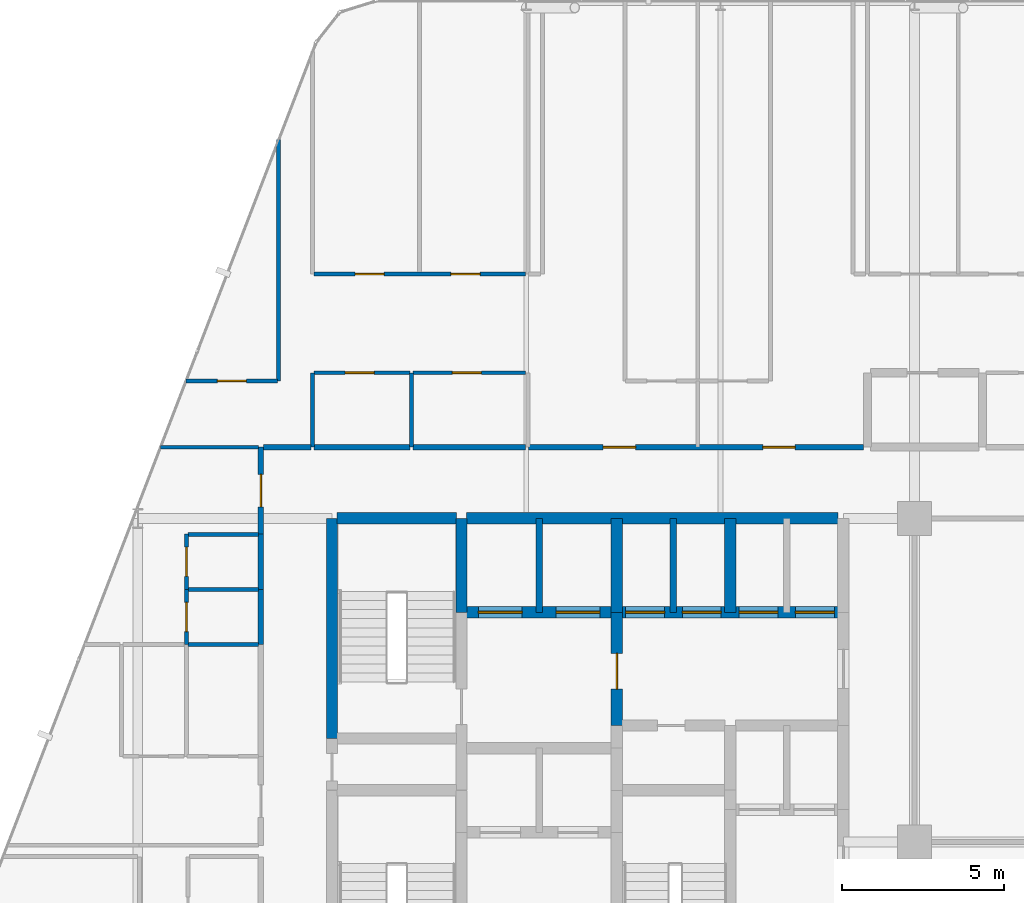
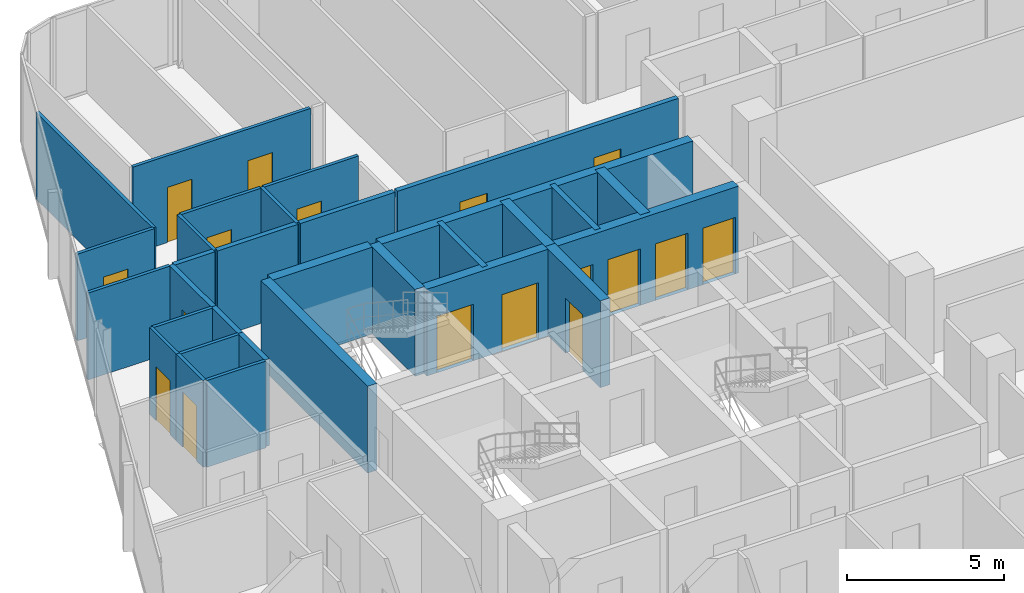
# One storey, part 27 of 30: 30 walls, 17 doors, 17 openings.
"""IFC4 building model written with IfcOpenShell, lengths in metres."""

from ifc_helpers import new_model, si_unit, direction, frame, frame_2d, origin, place, context, subcontext, project, spatial, rectangle, extrude, material, layer, layer_set, type_object, element, fill, save


model = new_model("IFC4")

# Units and contexts
model_context = context("Model", 3, precision=1e-05, world=origin(), true_north=direction((0.0, 1.0)))
body_context = subcontext(model_context, "Body", "Model", "MODEL_VIEW")
ifc_project = project(units=[si_unit("LENGTHUNIT", "METRE"), si_unit("AREAUNIT", "SQUARE_METRE"), si_unit("VOLUMEUNIT", "CUBIC_METRE"), si_unit("PLANEANGLEUNIT", "RADIAN"), si_unit("MASSUNIT", "GRAM", prefix="KILO")], contexts=[model_context])

# Site, building, storey
site_placement = place(None, origin())
site = spatial("IfcSite", under=ifc_project, at=site_placement, CompositionType="ELEMENT")
building_placement = place(site_placement, origin())
building = spatial("IfcBuilding", under=site, at=building_placement, Name="Keshet Zoharim Tower", CompositionType="ELEMENT")
storey_placement = place(building_placement, frame((0.0, 0.0, 116.800048828125)))
storey = spatial("IfcBuildingStorey", under=building, at=storey_placement, Name="L28", CompositionType="ELEMENT", Elevation=116.800048828125)

# Walls
ifc_material_1 = material(Name="Concrete C60/75", Category="concrete")
ifc_layer_1 = layer(ifc_material_1, 0.35009765625)
ifc_layer_set_1 = layer_set([ifc_layer_1], Name="Concrete C60/75")
wall_type_1 = type_object("IfcWallType", Name="WL-CORE-350", PredefinedType="SHEAR", material=ifc_layer_set_1)
wall_1_placement = place(storey_placement, frame((15.0, 31.10009765625, 0.0), z_axis=(0.0, 0.0, 1.0), x_axis=(0.0, 1.0, 0.0)))
element("IfcWall", 1, at=wall_1_placement, inside=storey, type_object=wall_type_1, Name="L28 Core Shear Wall 022", PredefinedType="SHEAR", context=body_context, shape_type="SweptSolid", body=[
    extrude(rectangle(XDim=6.7998046875, YDim=0.35009765625, at=frame_2d((3.39990234375, 0.0))), origin(), (0.0, 0.0, 1.0), 3.3798828125),
])
wall_2_placement = place(storey_placement, frame((19.0, 35.0, 0.0), z_axis=(0.0, 0.0, 1.0), x_axis=(0.0, 1.0, 0.0)))
element("IfcWall", 2, at=wall_2_placement, inside=storey, type_object=wall_type_1, Name="L28 Core Shear Wall 033", PredefinedType="SHEAR", context=body_context, shape_type="SweptSolid", body=[
    extrude(rectangle(XDim=2.89990234375, YDim=0.35009765625, at=frame_2d((1.449951171875, 0.0))), origin(), (0.0, 0.0, 1.0), 3.3798828125),
])

# Wall, opening, door
wall_3_placement = place(storey_placement, frame((23.800048828125, 31.5, 0.0), z_axis=(0.0, 0.0, 1.0), x_axis=(0.0, 1.0, 0.0)))
wall_3 = element("IfcWall", 3, at=wall_3_placement, inside=storey, type_object=wall_type_1, Name="L28 Core Shear Wall 045", PredefinedType="SHEAR", context=body_context, shape_type="SweptSolid", body=[
    extrude(rectangle(XDim=3.5, YDim=0.35009765625, at=frame_2d((1.75, 0.0))), origin(), (0.0, 0.0, 1.0), 3.3798828125),
])
opening_1_placement = place(wall_3_placement, frame((1.126953125, 0.0, 0.0)))
opening_1 = element("IfcOpeningElement", 4, at=opening_1_placement, cuts=wall_3, Name="Opening D-F611", PredefinedType="OPENING", context=body_context, shape_type="SweptSolid", body=[
    extrude(rectangle(XDim=1.10009765625, YDim=2.14990234375, at=frame_2d((0.550048828125, 1.074951171875))), frame((0.0, 0.18505859375, 0.0), z_axis=(0.0, -1.0, 0.0), x_axis=(1.0, 0.0, 0.0)), (0.0, 0.0, 1.0), 0.3701171875),
])
ifc_material_2 = material(Name="Hardwood Timber", Category="wood")
door_type_1 = type_object("IfcDoorType", Name="DR-FD60-110", OperationType="NOTDEFINED", PredefinedType="DOOR", material=ifc_material_2)
door_1_placement = place(opening_1_placement, origin())
door_1 = element("IfcDoor", 5, at=door_1_placement, inside=storey, type_object=door_type_1, Name="L28 Firefighting Lobby Fire Door", OperationType="SINGLE_SWING_LEFT", OverallHeight=2.14990234375, OverallWidth=1.10009765625, PredefinedType="DOOR", context=body_context, shape_type="SweptSolid", body=[
    extrude(rectangle(XDim=1.10009765625, YDim=2.14990234375, at=frame_2d((0.550048828125, 1.074951171875))), frame((0.0, 0.02490234375, 0.0), z_axis=(0.0, -1.0, 0.0), x_axis=(1.0, 0.0, 0.0)), (0.0, 0.0, 1.0), 0.050048828125),
])
fill(opening_1, door_1)

# Walls
for number, where, z_axis, x_axis, name in (
    (6, (23.800048828125, 35.0, 0.0), (0.0, 0.0, 1.0), (0.0, 1.0, 0.0), "L28 Core Shear Wall 046"),
    (7, (27.300048828125, 35.0, 0.0), (0.0, 0.0, 1.0), (0.0, 1.0, 0.0), "L28 Core Shear Wall 057"),
):
    element("IfcWall", number, at=place(storey_placement, frame(where, z_axis=z_axis, x_axis=x_axis)), inside=storey, type_object=wall_type_1, Name=name, PredefinedType="SHEAR", context=body_context, shape_type="SweptSolid", body=[
        extrude(rectangle(XDim=2.89990234375, YDim=0.35009765625, at=frame_2d((1.449951171875, 0.0))), origin(), (0.0, 0.0, 1.0), 3.3798828125),
    ])

# Wall, openings, doors
wall_4_placement = place(storey_placement, frame((19.159912109375, 35.0, 0.0), z_axis=(0.0, 0.0, 1.0), x_axis=(1.0, 0.0, 0.0)))
wall_4 = element("IfcWall", 8, at=wall_4_placement, inside=storey, type_object=wall_type_1, Name="L28 Core Shear Wall 176", PredefinedType="SHEAR", context=body_context, shape_type="SweptSolid", body=[
    extrude(rectangle(XDim=11.47998046875, YDim=0.35009765625, at=frame_2d((5.739990234375, 0.0))), origin(), (0.0, 0.0, 1.0), 3.3798828125),
])
opening_2_placement = place(wall_4_placement, frame((0.364990234375, 0.0, 0.0)))
opening_2 = element("IfcOpeningElement", 9, at=opening_2_placement, cuts=wall_4, Name="Opening LD-02", PredefinedType="OPENING", context=body_context, shape_type="SweptSolid", body=[
    extrude(rectangle(XDim=1.35009765625, YDim=2.199951171875, at=frame_2d((0.675048828125, 1.10009765625))), frame((0.0, 0.18505859375, 0.0), z_axis=(0.0, -1.0, 0.0), x_axis=(1.0, 0.0, 0.0)), (0.0, 0.0, 1.0), 0.3701171875),
])
opening_3_placement = place(wall_4_placement, frame((2.764892578125, 0.0, 0.0)))
opening_3 = element("IfcOpeningElement", 10, at=opening_3_placement, cuts=wall_4, Name="Opening LD-02", PredefinedType="OPENING", context=body_context, shape_type="SweptSolid", body=[
    extrude(rectangle(XDim=1.35009765625, YDim=2.199951171875, at=frame_2d((0.675048828125, 1.10009765625))), frame((0.0, 0.18505859375, 0.0), z_axis=(0.0, -1.0, 0.0), x_axis=(1.0, 0.0, 0.0)), (0.0, 0.0, 1.0), 0.3701171875),
])
opening_4_placement = place(wall_4_placement, frame((4.9150390625, 0.0, 0.0)))
opening_4 = element("IfcOpeningElement", 11, at=opening_4_placement, cuts=wall_4, Name="Opening LD-03", PredefinedType="OPENING", context=body_context, shape_type="SweptSolid", body=[
    extrude(rectangle(XDim=1.199951171875, YDim=2.199951171875, at=frame_2d((0.60009765625, 1.10009765625))), frame((0.0, 0.18505859375, 0.0), z_axis=(0.0, -1.0, 0.0), x_axis=(1.0, 0.0, 0.0)), (0.0, 0.0, 1.0), 0.3701171875),
])
opening_5_placement = place(wall_4_placement, frame((6.6650390625, 0.0, 0.0)))
opening_5 = element("IfcOpeningElement", 12, at=opening_5_placement, cuts=wall_4, Name="Opening LD-03", PredefinedType="OPENING", context=body_context, shape_type="SweptSolid", body=[
    extrude(rectangle(XDim=1.199951171875, YDim=2.199951171875, at=frame_2d((0.60009765625, 1.10009765625))), frame((0.0, 0.18505859375, 0.0), z_axis=(0.0, -1.0, 0.0), x_axis=(1.0, 0.0, 0.0)), (0.0, 0.0, 1.0), 0.3701171875),
])
opening_6_placement = place(wall_4_placement, frame((8.4150390625, 0.0, 0.0)))
opening_6 = element("IfcOpeningElement", 13, at=opening_6_placement, cuts=wall_4, Name="Opening LD-03", PredefinedType="OPENING", context=body_context, shape_type="SweptSolid", body=[
    extrude(rectangle(XDim=1.199951171875, YDim=2.199951171875, at=frame_2d((0.60009765625, 1.10009765625))), frame((0.0, 0.18505859375, 0.0), z_axis=(0.0, -1.0, 0.0), x_axis=(1.0, 0.0, 0.0)), (0.0, 0.0, 1.0), 0.3701171875),
])
opening_7_placement = place(wall_4_placement, frame((10.159912109375, 0.0, 0.0)))
opening_7 = element("IfcOpeningElement", 14, at=opening_7_placement, cuts=wall_4, Name="Opening LD-03", PredefinedType="OPENING", context=body_context, shape_type="SweptSolid", body=[
    extrude(rectangle(XDim=1.199951171875, YDim=2.199951171875, at=frame_2d((0.60009765625, 1.10009765625))), frame((0.0, 0.18505859375, 0.0), z_axis=(0.0, -1.0, 0.0), x_axis=(1.0, 0.0, 0.0)), (0.0, 0.0, 1.0), 0.3701171875),
])
ifc_material_3 = material(Name="Steel S355", Category="steel")
door_type_2 = type_object("IfcDoorType", Name="DR-LD02-135", OperationType="DOUBLE_DOOR_SLIDING", PredefinedType="DOOR", material=ifc_material_3)
door_2_placement = place(opening_2_placement, origin())
door_2 = element("IfcDoor", 15, at=door_2_placement, inside=storey, type_object=door_type_2, Name="L28 Firefighting Lift Landing Door FF-01", OperationType="DOUBLE_DOOR_SLIDING", OverallHeight=2.199951171875, OverallWidth=1.35009765625, PredefinedType="DOOR", context=body_context, shape_type="SweptSolid", body=[
    extrude(rectangle(XDim=1.35009765625, YDim=2.199951171875, at=frame_2d((0.675048828125, 1.10009765625))), frame((0.0, 0.02490234375, 0.0), z_axis=(0.0, -1.0, 0.0), x_axis=(1.0, 0.0, 0.0)), (0.0, 0.0, 1.0), 0.050048828125),
])
fill(opening_2, door_2)
door_3_placement = place(opening_3_placement, origin())
door_3 = element("IfcDoor", 16, at=door_3_placement, inside=storey, type_object=door_type_2, Name="L28 Firefighting Lift Landing Door FF-02", OperationType="DOUBLE_DOOR_SLIDING", OverallHeight=2.199951171875, OverallWidth=1.35009765625, PredefinedType="DOOR", context=body_context, shape_type="SweptSolid", body=[
    extrude(rectangle(XDim=1.35009765625, YDim=2.199951171875, at=frame_2d((0.675048828125, 1.10009765625))), frame((0.0, 0.02490234375, 0.0), z_axis=(0.0, -1.0, 0.0), x_axis=(1.0, 0.0, 0.0)), (0.0, 0.0, 1.0), 0.050048828125),
])
fill(opening_3, door_3)
door_type_3 = type_object("IfcDoorType", Name="DR-LD03-120", OperationType="DOUBLE_DOOR_SLIDING", PredefinedType="DOOR", material=ifc_material_3)
door_4_placement = place(opening_4_placement, origin())
door_4 = element("IfcDoor", 17, at=door_4_placement, inside=storey, type_object=door_type_3, Name="L28 Passenger Lift Landing Door LF-01", OperationType="DOUBLE_DOOR_SLIDING", OverallHeight=2.199951171875, OverallWidth=1.199951171875, PredefinedType="DOOR", context=body_context, shape_type="SweptSolid", body=[
    extrude(rectangle(XDim=1.199951171875, YDim=2.199951171875, at=frame_2d((0.60009765625, 1.10009765625))), frame((0.0, 0.02490234375, 0.0), z_axis=(0.0, -1.0, 0.0), x_axis=(1.0, 0.0, 0.0)), (0.0, 0.0, 1.0), 0.050048828125),
])
fill(opening_4, door_4)
door_5_placement = place(opening_5_placement, origin())
door_5 = element("IfcDoor", 18, at=door_5_placement, inside=storey, type_object=door_type_3, Name="L28 Passenger Lift Landing Door LF-02", OperationType="DOUBLE_DOOR_SLIDING", OverallHeight=2.199951171875, OverallWidth=1.199951171875, PredefinedType="DOOR", context=body_context, shape_type="SweptSolid", body=[
    extrude(rectangle(XDim=1.199951171875, YDim=2.199951171875, at=frame_2d((0.60009765625, 1.10009765625))), frame((0.0, 0.02490234375, 0.0), z_axis=(0.0, -1.0, 0.0), x_axis=(1.0, 0.0, 0.0)), (0.0, 0.0, 1.0), 0.050048828125),
])
fill(opening_5, door_5)
door_6_placement = place(opening_6_placement, origin())
door_6 = element("IfcDoor", 19, at=door_6_placement, inside=storey, type_object=door_type_3, Name="L28 Passenger Lift Landing Door LF-03", OperationType="DOUBLE_DOOR_SLIDING", OverallHeight=2.199951171875, OverallWidth=1.199951171875, PredefinedType="DOOR", context=body_context, shape_type="SweptSolid", body=[
    extrude(rectangle(XDim=1.199951171875, YDim=2.199951171875, at=frame_2d((0.60009765625, 1.10009765625))), frame((0.0, 0.02490234375, 0.0), z_axis=(0.0, -1.0, 0.0), x_axis=(1.0, 0.0, 0.0)), (0.0, 0.0, 1.0), 0.050048828125),
])
fill(opening_6, door_6)
door_7_placement = place(opening_7_placement, origin())
door_7 = element("IfcDoor", 20, at=door_7_placement, inside=storey, type_object=door_type_3, Name="L28 Passenger Lift Landing Door LF-04", OperationType="DOUBLE_DOOR_SLIDING", OverallHeight=2.199951171875, OverallWidth=1.199951171875, PredefinedType="DOOR", context=body_context, shape_type="SweptSolid", body=[
    extrude(rectangle(XDim=1.199951171875, YDim=2.199951171875, at=frame_2d((0.60009765625, 1.10009765625))), frame((0.0, 0.02490234375, 0.0), z_axis=(0.0, -1.0, 0.0), x_axis=(1.0, 0.0, 0.0)), (0.0, 0.0, 1.0), 0.050048828125),
])
fill(opening_7, door_7)

# Walls
wall_5_placement = place(storey_placement, frame((15.159912109375, 37.89990234375, 0.0), z_axis=(0.0, 0.0, 1.0), x_axis=(1.0, 0.0, 0.0)))
element("IfcWall", 21, at=wall_5_placement, inside=storey, type_object=wall_type_1, Name="L28 Core Shear Wall 179", PredefinedType="SHEAR", context=body_context, shape_type="SweptSolid", body=[
    extrude(rectangle(XDim=3.68017578125, YDim=0.35009765625, at=frame_2d((1.840087890625, 0.0))), origin(), (0.0, 0.0, 1.0), 3.3798828125),
])
wall_6_placement = place(storey_placement, frame((19.159912109375, 37.89990234375, 0.0), z_axis=(0.0, 0.0, 1.0), x_axis=(1.0, 0.0, 0.0)))
element("IfcWall", 22, at=wall_6_placement, inside=storey, type_object=wall_type_1, Name="L28 Core Shear Wall 180", PredefinedType="SHEAR", context=body_context, shape_type="SweptSolid", body=[
    extrude(rectangle(XDim=11.47998046875, YDim=0.35009765625, at=frame_2d((5.739990234375, 0.0))), origin(), (0.0, 0.0, 1.0), 3.3798828125),
])
ifc_material_4 = material(Name="Gypsum Plasterboard", Category="gypsum")
ifc_layer_2 = layer(ifc_material_4, 0.179931640625)
ifc_layer_set_2 = layer_set([ifc_layer_2], Name="Gypsum Plasterboard")
wall_type_2 = type_object("IfcWallType", Name="WL-CORR-180", PredefinedType="STANDARD", material=ifc_layer_set_2)
for number, where, z_axis, x_axis, name in (
    (23, (12.800048828125, 34.0, 0.0), (0.0, 0.0, 1.0), (0.0, 1.0, 0.0), "L28 Interior Wall 013"),
    (24, (12.800048828125, 35.7080078125, 0.0), (0.0, 0.0, 1.0), (0.0, 1.0, 0.0), "L28 Interior Wall 014"),
):
    element("IfcWall", number, at=place(storey_placement, frame(where, z_axis=z_axis, x_axis=x_axis)), inside=storey, type_object=wall_type_2, Name=name, PredefinedType="STANDARD", context=body_context, shape_type="SweptSolid", body=[
        extrude(rectangle(XDim=1.7080078125, YDim=0.179931640625, at=frame_2d((0.85400390625, 0.0))), origin(), (0.0, 0.0, 1.0), 3.3798828125),
    ])

# Wall, opening, door
wall_7_placement = place(storey_placement, frame((12.800048828125, 37.416015625, 0.0), z_axis=(0.0, 0.0, 1.0), x_axis=(0.0, 1.0, 0.0)))
wall_7 = element("IfcWall", 25, at=wall_7_placement, inside=storey, type_object=wall_type_2, Name="L28 Interior Wall 015", PredefinedType="STANDARD", context=body_context, shape_type="SweptSolid", body=[
    extrude(rectangle(XDim=2.68408203125, YDim=0.179931640625, at=frame_2d((1.342041015625, 0.0))), origin(), (0.0, 0.0, 1.0), 3.3798828125),
])
opening_8_placement = place(wall_7_placement, frame((0.842041015625, 0.0, 0.0)))
opening_8 = element("IfcOpeningElement", 26, at=opening_8_placement, cuts=wall_7, Name="Opening D-F310", PredefinedType="OPENING", context=body_context, shape_type="SweptSolid", body=[
    extrude(rectangle(XDim=1.0, YDim=2.14990234375, at=frame_2d((0.5, 1.074951171875))), frame((0.0, 0.10009765625, 0.0), z_axis=(0.0, -1.0, 0.0), x_axis=(1.0, 0.0, 0.0)), (0.0, 0.0, 1.0), 0.199951171875),
])
door_type_4 = type_object("IfcDoorType", Name="DR-FD30-100", OperationType="NOTDEFINED", PredefinedType="DOOR", material=ifc_material_2)
door_8_placement = place(opening_8_placement, origin())
door_8 = element("IfcDoor", 27, at=door_8_placement, inside=storey, type_object=door_type_4, Name="Apartment 2811 Entrance Door", OperationType="SINGLE_SWING_RIGHT", OverallHeight=2.14990234375, OverallWidth=1.0, PredefinedType="DOOR", context=body_context, shape_type="SweptSolid", body=[
    extrude(rectangle(XDim=1.0, YDim=2.14990234375, at=frame_2d((0.5, 1.074951171875))), frame((0.0, 0.02490234375, 0.0), z_axis=(0.0, -1.0, 0.0), x_axis=(1.0, 0.0, 0.0)), (0.0, 0.0, 1.0), 0.050048828125),
])
fill(opening_8, door_8)

# Walls
wall_8_placement = place(storey_placement, frame((12.875, 40.10009765625, 0.0), z_axis=(0.0, 0.0, 1.0), x_axis=(1.0, 0.0, 0.0)))
element("IfcWall", 28, at=wall_8_placement, inside=storey, type_object=wall_type_2, Name="L28 Interior Wall 183", PredefinedType="STANDARD", context=body_context, shape_type="SweptSolid", body=[
    extrude(rectangle(XDim=1.47998046875, YDim=0.179931640625, at=frame_2d((0.739990234375, 0.0))), origin(), (0.0, 0.0, 1.0), 3.3798828125),
])
wall_9_placement = place(storey_placement, frame((14.445068359375, 40.10009765625, 0.0), z_axis=(0.0, 0.0, 1.0), x_axis=(1.0, 0.0, 0.0)))
element("IfcWall", 29, at=wall_9_placement, inside=storey, type_object=wall_type_2, Name="L28 Interior Wall 184", PredefinedType="STANDARD", context=body_context, shape_type="SweptSolid", body=[
    extrude(rectangle(XDim=2.9599609375, YDim=0.179931640625, at=frame_2d((1.47998046875, 0.0))), origin(), (0.0, 0.0, 1.0), 3.3798828125),
])
wall_10_placement = place(storey_placement, frame((17.4951171875, 40.10009765625, 0.0), z_axis=(0.0, 0.0, 1.0), x_axis=(1.0, 0.0, 0.0)))
element("IfcWall", 30, at=wall_10_placement, inside=storey, type_object=wall_type_2, Name="L28 Interior Wall 185", PredefinedType="STANDARD", context=body_context, shape_type="SweptSolid", body=[
    extrude(rectangle(XDim=3.489990234375, YDim=0.179931640625, at=frame_2d((1.7451171875, 0.0))), origin(), (0.0, 0.0, 1.0), 3.3798828125),
])

# Wall, openings, doors
wall_11_placement = place(storey_placement, frame((21.074951171875, 40.10009765625, 0.0), z_axis=(0.0, 0.0, 1.0), x_axis=(1.0, 0.0, 0.0)))
wall_11 = element("IfcWall", 31, at=wall_11_placement, inside=storey, type_object=wall_type_2, Name="L28 Interior Wall 186", PredefinedType="STANDARD", context=body_context, shape_type="SweptSolid", body=[
    extrude(rectangle(XDim=10.344970703125, YDim=0.179931640625, at=frame_2d((5.17236328125, 0.0))), origin(), (0.0, 0.0, 1.0), 3.3798828125),
])
opening_9_placement = place(wall_11_placement, frame((2.304931640625, 0.0, 0.0)))
opening_9 = element("IfcOpeningElement", 32, at=opening_9_placement, cuts=wall_11, Name="Opening D-F310", PredefinedType="OPENING", context=body_context, shape_type="SweptSolid", body=[
    extrude(rectangle(XDim=1.0, YDim=2.14990234375, at=frame_2d((0.5, 1.074951171875))), frame((0.0, 0.10009765625, 0.0), z_axis=(0.0, -1.0, 0.0), x_axis=(1.0, 0.0, 0.0)), (0.0, 0.0, 1.0), 0.199951171875),
])
opening_10_placement = place(wall_11_placement, frame((7.235107421875, 0.0, 0.0)))
opening_10 = element("IfcOpeningElement", 33, at=opening_10_placement, cuts=wall_11, Name="Opening D-F310", PredefinedType="OPENING", context=body_context, shape_type="SweptSolid", body=[
    extrude(rectangle(XDim=1.0, YDim=2.14990234375, at=frame_2d((0.5, 1.074951171875))), frame((0.0, 0.10009765625, 0.0), z_axis=(0.0, -1.0, 0.0), x_axis=(1.0, 0.0, 0.0)), (0.0, 0.0, 1.0), 0.199951171875),
])
door_9_placement = place(opening_9_placement, origin())
door_9 = element("IfcDoor", 34, at=door_9_placement, inside=storey, type_object=door_type_4, Name="Apartment 2805 Entrance Door", OperationType="SINGLE_SWING_RIGHT", OverallHeight=2.14990234375, OverallWidth=1.0, PredefinedType="DOOR", context=body_context, shape_type="SweptSolid", body=[
    extrude(rectangle(XDim=1.0, YDim=2.14990234375, at=frame_2d((0.5, 1.074951171875))), frame((0.0, 0.02490234375, 0.0), z_axis=(0.0, -1.0, 0.0), x_axis=(1.0, 0.0, 0.0)), (0.0, 0.0, 1.0), 0.050048828125),
])
fill(opening_9, door_9)
door_10_placement = place(opening_10_placement, origin())
door_10 = element("IfcDoor", 35, at=door_10_placement, inside=storey, type_object=door_type_4, Name="Apartment 2806 Entrance Door", OperationType="SINGLE_SWING_LEFT", OverallHeight=2.14990234375, OverallWidth=1.0, PredefinedType="DOOR", context=body_context, shape_type="SweptSolid", body=[
    extrude(rectangle(XDim=1.0, YDim=2.14990234375, at=frame_2d((0.5, 1.074951171875))), frame((0.0, 0.02490234375, 0.0), z_axis=(0.0, -1.0, 0.0), x_axis=(1.0, 0.0, 0.0)), (0.0, 0.0, 1.0), 0.050048828125),
])
fill(opening_10, door_10)

# Walls
ifc_material_5 = material(Name="Concrete C50/60", Category="concrete")
ifc_layer_3 = layer(ifc_material_5, 0.199951171875)
ifc_layer_set_3 = layer_set([ifc_layer_3], Name="Concrete C50/60")
wall_type_3 = type_object("IfcWallType", Name="WL-FIRE-200", PredefinedType="STANDARD", material=ifc_layer_set_3)
for number, where, z_axis, x_axis, name in (
    (36, (21.39990234375, 35.0, 0.0), (0.0, 0.0, 1.0), (0.0, 1.0, 0.0), "L28 Interior Wall 038"),
    (37, (25.550048828125, 35.0, 0.0), (0.0, 0.0, 1.0), (0.0, 1.0, 0.0), "L28 Interior Wall 049"),
):
    element("IfcWall", number, at=place(storey_placement, frame(where, z_axis=z_axis, x_axis=x_axis)), inside=storey, type_object=wall_type_3, Name=name, PredefinedType="STANDARD", context=body_context, shape_type="SweptSolid", body=[
        extrude(rectangle(XDim=2.89990234375, YDim=0.199951171875, at=frame_2d((1.449951171875, 0.0))), origin(), (0.0, 0.0, 1.0), 3.3798828125),
    ])

# Wall, opening, door
ifc_layer_4 = layer(ifc_material_4, 0.1201171875)
ifc_layer_set_4 = layer_set([ifc_layer_4], Name="Gypsum Plasterboard")
wall_type_4 = type_object("IfcWallType", Name="WL-PART-120", PredefinedType="PARTITIONING", material=ifc_layer_set_4)
wall_12_placement = place(storey_placement, frame((10.5, 34.0, 0.0), z_axis=(0.0, 0.0, 1.0), x_axis=(0.0, 1.0, 0.0)))
wall_12 = element("IfcWall", 38, at=wall_12_placement, inside=storey, type_object=wall_type_4, Name="L28 Interior Wall 004", PredefinedType="PARTITIONING", context=body_context, shape_type="SweptSolid", body=[
    extrude(rectangle(XDim=1.7080078125, YDim=0.1201171875, at=frame_2d((0.85400390625, 0.0))), origin(), (0.0, 0.0, 1.0), 3.3798828125),
])
opening_11_placement = place(wall_12_placement, frame((0.404052734375, 0.0, 0.0)))
opening_11 = element("IfcOpeningElement", 39, at=opening_11_placement, cuts=wall_12, Name="Opening D-IN90", PredefinedType="OPENING", context=body_context, shape_type="SweptSolid", body=[
    extrude(rectangle(XDim=0.89990234375, YDim=2.14990234375, at=frame_2d((0.449951171875, 1.074951171875))), frame((0.0, 0.070068359375, 0.0), z_axis=(0.0, -1.0, 0.0), x_axis=(1.0, 0.0, 0.0)), (0.0, 0.0, 1.0), 0.14013671875),
])
door_type_5 = type_object("IfcDoorType", Name="DR-INT-090", OperationType="NOTDEFINED", PredefinedType="DOOR", material=ifc_material_2)
door_11_placement = place(opening_11_placement, origin())
door_11 = element("IfcDoor", 40, at=door_11_placement, inside=storey, type_object=door_type_5, Name="Apartment 2811 Kitchenette Door", OperationType="SINGLE_SWING_RIGHT", OverallHeight=2.14990234375, OverallWidth=0.89990234375, PredefinedType="DOOR", context=body_context, shape_type="SweptSolid", body=[
    extrude(rectangle(XDim=0.89990234375, YDim=2.14990234375, at=frame_2d((0.449951171875, 1.074951171875))), frame((0.0, 0.02490234375, 0.0), z_axis=(0.0, -1.0, 0.0), x_axis=(1.0, 0.0, 0.0)), (0.0, 0.0, 1.0), 0.050048828125),
])
fill(opening_11, door_11)

# Walls
wall_13_placement = place(storey_placement, frame((13.35009765625, 42.14990234375, 0.0), z_axis=(0.0, 0.0, 1.0), x_axis=(0.0, 1.0, 0.0)))
element("IfcWall", 41, at=wall_13_placement, inside=storey, type_object=wall_type_4, Name="L28 Interior Wall 016", PredefinedType="PARTITIONING", context=body_context, shape_type="SweptSolid", body=[
    extrude(rectangle(XDim=7.4501953125, YDim=0.1201171875, at=frame_2d((3.72509765625, 0.0))), origin(), (0.0, 0.0, 1.0), 3.3798828125),
])
wall_14_placement = place(storey_placement, frame((14.39990234375, 40.10009765625, 0.0), z_axis=(0.0, 0.0, 1.0), x_axis=(0.0, 1.0, 0.0)))
element("IfcWall", 42, at=wall_14_placement, inside=storey, type_object=wall_type_4, Name="L28 Interior Wall 017", PredefinedType="PARTITIONING", context=body_context, shape_type="SweptSolid", body=[
    extrude(rectangle(XDim=2.2998046875, YDim=0.1201171875, at=frame_2d((1.14990234375, 0.0))), origin(), (0.0, 0.0, 1.0), 3.3798828125),
])
wall_15_placement = place(storey_placement, frame((9.701904296875, 40.10009765625, 0.0), z_axis=(0.0, 0.0, 1.0), x_axis=(1.0, 0.0, 0.0)))
element("IfcWall", 43, at=wall_15_placement, inside=storey, type_object=wall_type_4, Name="L28 Interior Wall 182", PredefinedType="PARTITIONING", context=body_context, shape_type="SweptSolid", body=[
    extrude(rectangle(XDim=3.023193359375, YDim=0.1201171875, at=frame_2d((1.51171875, 0.0))), origin(), (0.0, 0.0, 1.0), 3.3798828125),
])

# Wall, opening, door
wall_16_placement = place(storey_placement, frame((10.490966796875, 42.14990234375, 0.0), z_axis=(0.0, 0.0, 1.0), x_axis=(1.0, 0.0, 0.0)))
wall_16 = element("IfcWall", 44, at=wall_16_placement, inside=storey, type_object=wall_type_4, Name="L28 Interior Wall 196", PredefinedType="PARTITIONING", context=body_context, shape_type="SweptSolid", body=[
    extrude(rectangle(XDim=2.828125, YDim=0.1201171875, at=frame_2d((1.4140625, 0.0))), origin(), (0.0, 0.0, 1.0), 3.3798828125),
])
opening_12_placement = place(wall_16_placement, frame((0.962890625, 0.0, 0.0)))
opening_12 = element("IfcOpeningElement", 45, at=opening_12_placement, cuts=wall_16, Name="Opening D-IN90", PredefinedType="OPENING", context=body_context, shape_type="SweptSolid", body=[
    extrude(rectangle(XDim=0.89990234375, YDim=2.14990234375, at=frame_2d((0.449951171875, 1.074951171875))), frame((0.0, 0.070068359375, 0.0), z_axis=(0.0, -1.0, 0.0), x_axis=(1.0, 0.0, 0.0)), (0.0, 0.0, 1.0), 0.14013671875),
])
door_12_placement = place(opening_12_placement, origin())
door_12 = element("IfcDoor", 46, at=door_12_placement, inside=storey, type_object=door_type_5, Name="Apartment 2805 Home Study Room Door", OperationType="SINGLE_SWING_RIGHT", OverallHeight=2.14990234375, OverallWidth=0.89990234375, PredefinedType="DOOR", context=body_context, shape_type="SweptSolid", body=[
    extrude(rectangle(XDim=0.89990234375, YDim=2.14990234375, at=frame_2d((0.449951171875, 1.074951171875))), frame((0.0, 0.02490234375, 0.0), z_axis=(0.0, -1.0, 0.0), x_axis=(1.0, 0.0, 0.0)), (0.0, 0.0, 1.0), 0.050048828125),
])
fill(opening_12, door_12)

wall_17_placement = place(storey_placement, frame((14.445068359375, 42.39990234375, 0.0), z_axis=(0.0, 0.0, 1.0), x_axis=(1.0, 0.0, 0.0)))
wall_17 = element("IfcWall", 47, at=wall_17_placement, inside=storey, type_object=wall_type_4, Name="L28 Interior Wall 198", PredefinedType="PARTITIONING", context=body_context, shape_type="SweptSolid", body=[
    extrude(rectangle(XDim=2.9599609375, YDim=0.1201171875, at=frame_2d((1.47998046875, 0.0))), origin(), (0.0, 0.0, 1.0), 3.3798828125),
])
opening_13_placement = place(wall_17_placement, frame((0.9560546875, 0.0, 0.0)))
opening_13 = element("IfcOpeningElement", 48, at=opening_13_placement, cuts=wall_17, Name="Opening D-IN90", PredefinedType="OPENING", context=body_context, shape_type="SweptSolid", body=[
    extrude(rectangle(XDim=0.89990234375, YDim=2.14990234375, at=frame_2d((0.449951171875, 1.074951171875))), frame((0.0, 0.070068359375, 0.0), z_axis=(0.0, -1.0, 0.0), x_axis=(1.0, 0.0, 0.0)), (0.0, 0.0, 1.0), 0.14013671875),
])
door_13_placement = place(opening_13_placement, origin())
door_13 = element("IfcDoor", 49, at=door_13_placement, inside=storey, type_object=door_type_5, Name="Apartment 2805 Kitchen Door", OperationType="SINGLE_SWING_LEFT", OverallHeight=2.14990234375, OverallWidth=0.89990234375, PredefinedType="DOOR", context=body_context, shape_type="SweptSolid", body=[
    extrude(rectangle(XDim=0.89990234375, YDim=2.14990234375, at=frame_2d((0.449951171875, 1.074951171875))), frame((0.0, 0.02490234375, 0.0), z_axis=(0.0, -1.0, 0.0), x_axis=(1.0, 0.0, 0.0)), (0.0, 0.0, 1.0), 0.050048828125),
])
fill(opening_13, door_13)

# Wall, openings, doors
wall_18_placement = place(storey_placement, frame((14.445068359375, 45.449951171875, 0.0), z_axis=(0.0, 0.0, 1.0), x_axis=(1.0, 0.0, 0.0)))
wall_18 = element("IfcWall", 50, at=wall_18_placement, inside=storey, type_object=wall_type_4, Name="L28 Interior Wall 207", PredefinedType="PARTITIONING", context=body_context, shape_type="SweptSolid", body=[
    extrude(rectangle(XDim=6.5400390625, YDim=0.1201171875, at=frame_2d((3.27001953125, 0.0))), origin(), (0.0, 0.0, 1.0), 3.3798828125),
])
opening_14_placement = place(wall_18_placement, frame((1.26611328125, 0.0, 0.0)))
opening_14 = element("IfcOpeningElement", 51, at=opening_14_placement, cuts=wall_18, Name="Opening D-IN90", PredefinedType="OPENING", context=body_context, shape_type="SweptSolid", body=[
    extrude(rectangle(XDim=0.89990234375, YDim=2.14990234375, at=frame_2d((0.449951171875, 1.074951171875))), frame((0.0, 0.070068359375, 0.0), z_axis=(0.0, -1.0, 0.0), x_axis=(1.0, 0.0, 0.0)), (0.0, 0.0, 1.0), 0.14013671875),
])
opening_15_placement = place(wall_18_placement, frame((4.23095703125, 0.0, 0.0)))
opening_15 = element("IfcOpeningElement", 52, at=opening_15_placement, cuts=wall_18, Name="Opening D-IN90", PredefinedType="OPENING", context=body_context, shape_type="SweptSolid", body=[
    extrude(rectangle(XDim=0.89990234375, YDim=2.14990234375, at=frame_2d((0.449951171875, 1.074951171875))), frame((0.0, 0.070068359375, 0.0), z_axis=(0.0, -1.0, 0.0), x_axis=(1.0, 0.0, 0.0)), (0.0, 0.0, 1.0), 0.14013671875),
])
door_14_placement = place(opening_14_placement, origin())
door_14 = element("IfcDoor", 53, at=door_14_placement, inside=storey, type_object=door_type_5, Name="Apartment 2805 Bedroom 1 Door", OperationType="SINGLE_SWING_RIGHT", OverallHeight=2.14990234375, OverallWidth=0.89990234375, PredefinedType="DOOR", context=body_context, shape_type="SweptSolid", body=[
    extrude(rectangle(XDim=0.89990234375, YDim=2.14990234375, at=frame_2d((0.449951171875, 1.074951171875))), frame((0.0, 0.02490234375, 0.0), z_axis=(0.0, -1.0, 0.0), x_axis=(1.0, 0.0, 0.0)), (0.0, 0.0, 1.0), 0.050048828125),
])
fill(opening_14, door_14)
door_15_placement = place(opening_15_placement, origin())
door_15 = element("IfcDoor", 54, at=door_15_placement, inside=storey, type_object=door_type_5, Name="Apartment 2805 Bedroom 2 Door", OperationType="SINGLE_SWING_LEFT", OverallHeight=2.14990234375, OverallWidth=0.89990234375, PredefinedType="DOOR", context=body_context, shape_type="SweptSolid", body=[
    extrude(rectangle(XDim=0.89990234375, YDim=2.14990234375, at=frame_2d((0.449951171875, 1.074951171875))), frame((0.0, 0.02490234375, 0.0), z_axis=(0.0, -1.0, 0.0), x_axis=(1.0, 0.0, 0.0)), (0.0, 0.0, 1.0), 0.050048828125),
])
fill(opening_15, door_15)

# Wall, opening, door
ifc_layer_5 = layer(ifc_material_4, 0.1201171875)
ifc_layer_set_5 = layer_set([ifc_layer_5], Name="Gypsum Plasterboard")
wall_type_5 = type_object("IfcWallType", Name="WL-WET-120", PredefinedType="PARTITIONING", material=ifc_layer_set_5)
wall_19_placement = place(storey_placement, frame((10.5, 35.7080078125, 0.0), z_axis=(0.0, 0.0, 1.0), x_axis=(0.0, 1.0, 0.0)))
wall_19 = element("IfcWall", 55, at=wall_19_placement, inside=storey, type_object=wall_type_5, Name="L28 Interior Wall 005", PredefinedType="PARTITIONING", context=body_context, shape_type="SweptSolid", body=[
    extrude(rectangle(XDim=1.7080078125, YDim=0.1201171875, at=frame_2d((0.85400390625, 0.0))), origin(), (0.0, 0.0, 1.0), 3.3798828125),
])
opening_16_placement = place(wall_19_placement, frame((0.404052734375, 0.0, 0.0)))
opening_16 = element("IfcOpeningElement", 56, at=opening_16_placement, cuts=wall_19, Name="Opening D-WT90", PredefinedType="OPENING", context=body_context, shape_type="SweptSolid", body=[
    extrude(rectangle(XDim=0.89990234375, YDim=2.10009765625, at=frame_2d((0.449951171875, 1.050048828125))), frame((0.0, 0.070068359375, 0.0), z_axis=(0.0, -1.0, 0.0), x_axis=(1.0, 0.0, 0.0)), (0.0, 0.0, 1.0), 0.14013671875),
])
door_type_6 = type_object("IfcDoorType", Name="DR-WET-090", OperationType="NOTDEFINED", PredefinedType="DOOR", material=ifc_material_2)
door_16_placement = place(opening_16_placement, origin())
door_16 = element("IfcDoor", 57, at=door_16_placement, inside=storey, type_object=door_type_6, Name="Apartment 2811 Bathroom Door", OperationType="SINGLE_SWING_LEFT", OverallHeight=2.10009765625, OverallWidth=0.89990234375, PredefinedType="DOOR", context=body_context, shape_type="SweptSolid", body=[
    extrude(rectangle(XDim=0.89990234375, YDim=2.10009765625, at=frame_2d((0.449951171875, 1.050048828125))), frame((0.0, 0.02490234375, 0.0), z_axis=(0.0, -1.0, 0.0), x_axis=(1.0, 0.0, 0.0)), (0.0, 0.0, 1.0), 0.050048828125),
])
fill(opening_16, door_16)

# Walls
wall_20_placement = place(storey_placement, frame((17.449951171875, 40.10009765625, 0.0), z_axis=(0.0, 0.0, 1.0), x_axis=(0.0, 1.0, 0.0)))
element("IfcWall", 58, at=wall_20_placement, inside=storey, type_object=wall_type_5, Name="L28 Interior Wall 025", PredefinedType="PARTITIONING", context=body_context, shape_type="SweptSolid", body=[
    extrude(rectangle(XDim=2.2998046875, YDim=0.1201171875, at=frame_2d((1.14990234375, 0.0))), origin(), (0.0, 0.0, 1.0), 3.3798828125),
])
for number, where, z_axis, x_axis, name in (
    (59, (10.544921875, 34.0, 0.0), (0.0, 0.0, 1.0), (1.0, 0.0, 0.0), "L28 Interior Wall 175"),
    (60, (10.544921875, 35.699951171875, 0.0), (0.0, 0.0, 1.0), (1.0, 0.0, 0.0), "L28 Interior Wall 177"),
    (61, (10.544921875, 37.39990234375, 0.0), (0.0, 0.0, 1.0), (1.0, 0.0, 0.0), "L28 Interior Wall 178"),
):
    element("IfcWall", number, at=place(storey_placement, frame(where, z_axis=z_axis, x_axis=x_axis)), inside=storey, type_object=wall_type_5, Name=name, PredefinedType="PARTITIONING", context=body_context, shape_type="SweptSolid", body=[
        extrude(rectangle(XDim=2.18017578125, YDim=0.1201171875, at=frame_2d((1.090087890625, 0.0))), origin(), (0.0, 0.0, 1.0), 3.3798828125),
    ])

# Wall, opening, door
wall_21_placement = place(storey_placement, frame((17.4951171875, 42.39990234375, 0.0), z_axis=(0.0, 0.0, 1.0), x_axis=(1.0, 0.0, 0.0)))
wall_21 = element("IfcWall", 62, at=wall_21_placement, inside=storey, type_object=wall_type_5, Name="L28 Interior Wall 199", PredefinedType="PARTITIONING", context=body_context, shape_type="SweptSolid", body=[
    extrude(rectangle(XDim=3.489990234375, YDim=0.1201171875, at=frame_2d((1.7451171875, 0.0))), origin(), (0.0, 0.0, 1.0), 3.3798828125),
])
opening_17_placement = place(wall_21_placement, frame((1.222900390625, 0.0, 0.0)))
opening_17 = element("IfcOpeningElement", 63, at=opening_17_placement, cuts=wall_21, Name="Opening D-WT90", PredefinedType="OPENING", context=body_context, shape_type="SweptSolid", body=[
    extrude(rectangle(XDim=0.89990234375, YDim=2.10009765625, at=frame_2d((0.449951171875, 1.050048828125))), frame((0.0, 0.070068359375, 0.0), z_axis=(0.0, -1.0, 0.0), x_axis=(1.0, 0.0, 0.0)), (0.0, 0.0, 1.0), 0.14013671875),
])
door_17_placement = place(opening_17_placement, origin())
door_17 = element("IfcDoor", 64, at=door_17_placement, inside=storey, type_object=door_type_6, Name="Apartment 2805 Bathroom Door", OperationType="SINGLE_SWING_RIGHT", OverallHeight=2.10009765625, OverallWidth=0.89990234375, PredefinedType="DOOR", context=body_context, shape_type="SweptSolid", body=[
    extrude(rectangle(XDim=0.89990234375, YDim=2.10009765625, at=frame_2d((0.449951171875, 1.050048828125))), frame((0.0, 0.02490234375, 0.0), z_axis=(0.0, -1.0, 0.0), x_axis=(1.0, 0.0, 0.0)), (0.0, 0.0, 1.0), 0.050048828125),
])
fill(opening_17, door_17)

save(model, "model.ifc")
